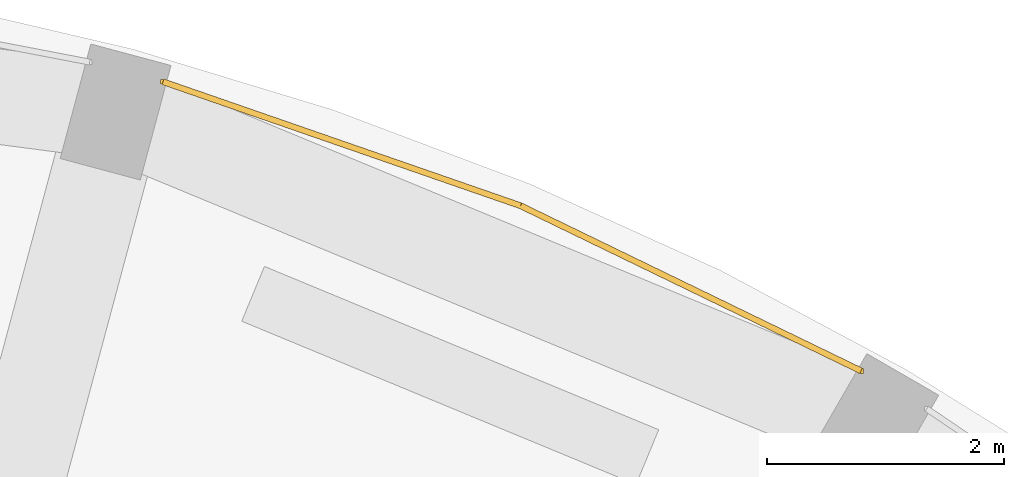
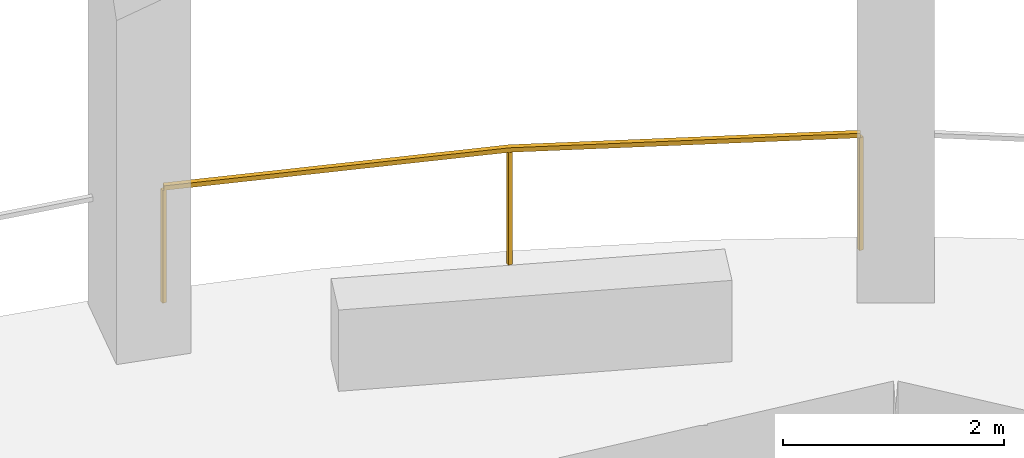
# One storey, part 9 of 9: 1 railing.
"""IFC4 building model written with IfcOpenShell, lengths in metres."""

from ifc_helpers import new_model, si_unit, direction, frame, origin, origin_2d, place, context, subcontext, project, spatial, rectangle, extrude, material, type_object, element, save


model = new_model("IFC4")

# Units and contexts
model_context = context("Model", 3, precision=1e-05, world=origin(), true_north=direction((0.0, 1.0)))
body_context = subcontext(model_context, "Body", "Model", "MODEL_VIEW")
ifc_project = project(units=[si_unit("LENGTHUNIT", "METRE"), si_unit("AREAUNIT", "SQUARE_METRE"), si_unit("VOLUMEUNIT", "CUBIC_METRE"), si_unit("PLANEANGLEUNIT", "RADIAN"), si_unit("MASSUNIT", "GRAM", prefix="KILO")], contexts=[model_context])

# Site, building, storey
site_placement = place(None, origin())
site = spatial("IfcSite", under=ifc_project, at=site_placement, CompositionType="ELEMENT")
building_placement = place(site_placement, origin())
building = spatial("IfcBuilding", under=site, at=building_placement, Name="Torre Triforio", CompositionType="ELEMENT")
storey_placement = place(building_placement, frame((0.0, 0.0, 31.0)))
storey = spatial("IfcBuildingStorey", under=building, at=storey_placement, Name="L05", CompositionType="ELEMENT", Elevation=31.0)

# Railing
ifc_material = material(Name="Stainless steel AISI 316", Category="steel")
railing_type = type_object("IfcRailingType", Name="Loggia guard 1300", PredefinedType="GUARDRAIL", material=ifc_material)
railing_placement = place(storey_placement, frame((13.14794921875, 23.412841796875, 0.0)))
element("IfcRailing", 1, at=railing_placement, inside=storey, type_object=railing_type, Name="Loggia guard L05 bay 05", PredefinedType="GUARDRAIL", context=body_context, shape_type="SweptSolid", body=[
    extrude(rectangle(XDim=0.050048828125, YDim=0.050048828125, at=origin_2d()), frame((0.0, 0.0, 1.27490234375), z_axis=(-0.899760432952, 0.436384192305, 0.0), x_axis=(-0.436384192305, -0.899760432952, 0.0)), (0.0, 0.0, 1.0), 3.19287109375),
    extrude(rectangle(XDim=0.050048828125, YDim=0.050048828125, at=origin_2d()), frame((-2.872802734375, 1.393310546875, 1.27490234375), z_axis=(-0.94480685358, 0.327627852034, 0.0), x_axis=(-0.327627852034, -0.94480685358, 0.0)), (0.0, 0.0, 1.0), 3.193115234375),
    extrude(rectangle(XDim=0.0400390625, YDim=0.0400390625, at=origin_2d()), origin(), (0.0, 0.0, 1.0), 1.25),
    extrude(rectangle(XDim=0.0400390625, YDim=0.0400390625, at=origin_2d()), frame((-2.872802734375, 1.393310546875, 0.0)), (0.0, 0.0, 1.0), 1.25),
    extrude(rectangle(XDim=0.0400390625, YDim=0.0400390625, at=origin_2d()), frame((-5.8896484375, 2.439453125, 0.0)), (0.0, 0.0, 1.0), 1.25),
])

save(model, "model.ifc")
